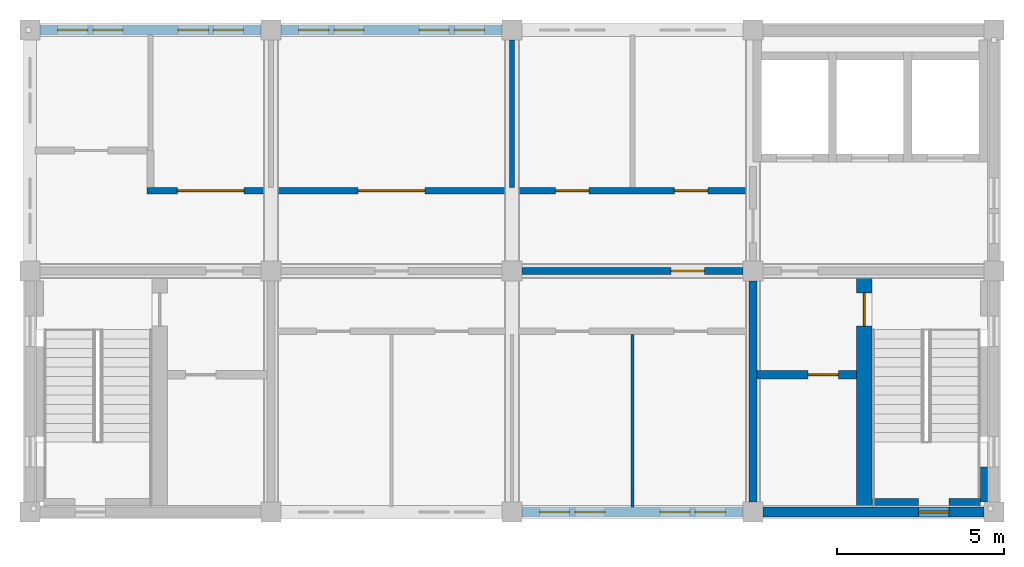
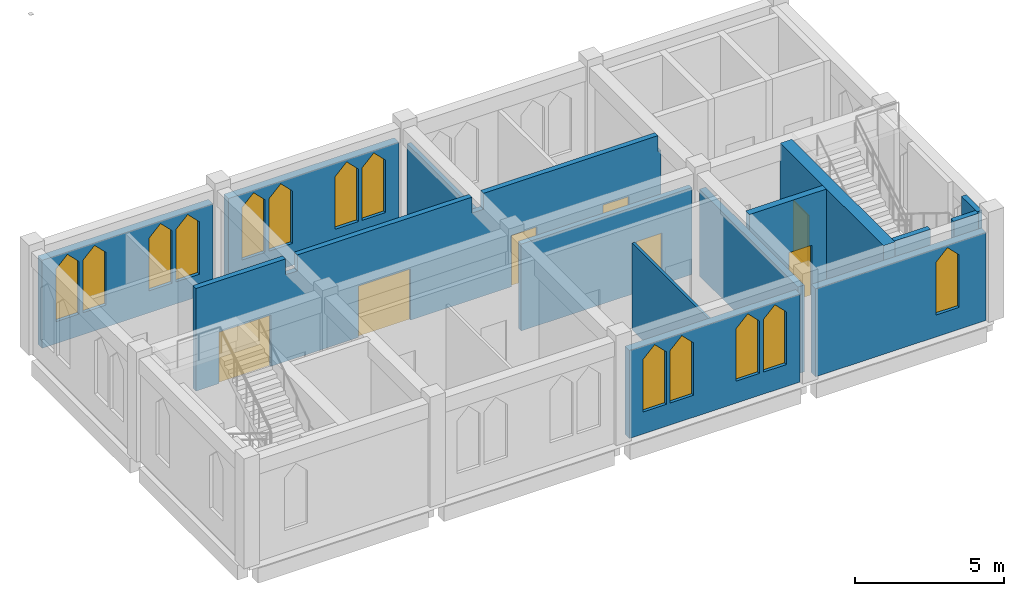
# One storey, part 3 of 6: 14 walls, 13 windows, 7 doors, 20 openings.
"""IFC4 building model written with IfcOpenShell, lengths in metres."""

from ifc_helpers import new_model, si_unit, direction, frame, frame_2d, origin, place, context, subcontext, project, spatial, polyline, rectangle, outline, extrude, material, layer, layer_set, type_object, element, fill, save


model = new_model("IFC4")

# Units and contexts
model_context = context("Model", 3, precision=1e-05, world=origin(), true_north=direction((0.0, 1.0)))
body_context = subcontext(model_context, "Body", "Model", "MODEL_VIEW")
ifc_project = project(units=[si_unit("LENGTHUNIT", "METRE"), si_unit("AREAUNIT", "SQUARE_METRE"), si_unit("VOLUMEUNIT", "CUBIC_METRE"), si_unit("PLANEANGLEUNIT", "RADIAN"), si_unit("MASSUNIT", "GRAM", prefix="KILO")], contexts=[model_context])

# Site, building, storey
site_placement = place(None, origin())
site = spatial("IfcSite", under=ifc_project, at=site_placement, CompositionType="ELEMENT")
building_placement = place(site_placement, origin())
building = spatial("IfcBuilding", under=site, at=building_placement, Name="Silangan Lancet Faculty of Sciences", CompositionType="ELEMENT")
storey_placement = place(building_placement, frame((0.0, 0.0, 76.800048828125)))
storey = spatial("IfcBuildingStorey", under=building, at=storey_placement, Name="L16", CompositionType="ELEMENT", Elevation=76.800048828125)

# Wall, opening, window
ifc_material_1 = material(Name="Concrete C40/50 precast", Category="concrete")
ifc_layer_1 = layer(ifc_material_1, 0.300048828125)
ifc_layer_set_1 = layer_set([ifc_layer_1], Name="Concrete C40/50 precast")
wall_type_1 = type_object("IfcWallType", Name="EW2 Turret enclosure wall", PredefinedType="STANDARD", material=ifc_layer_set_1)
wall_1_placement = place(storey_placement, frame((21.89990234375, 0.0, 0.0), z_axis=(0.0, 0.0, 1.0), x_axis=(1.0, 0.0, 0.0)))
wall_1 = element("IfcWall", 1, at=wall_1_placement, inside=storey, type_object=wall_type_1, Name="EW-L16-S-ST-03", PredefinedType="STANDARD", context=body_context, shape_type="SweptSolid", body=[
    extrude(rectangle(XDim=6.60009765625, YDim=0.300048828125, at=frame_2d((3.300048828125, 0.0))), origin(), (0.0, 0.0, 1.0), 3.599853515625),
])
opening_1_placement = place(wall_1_placement, frame((4.64990234375, 0.0, 0.89990234375)))
opening_1 = element("IfcOpeningElement", 2, at=opening_1_placement, cuts=wall_1, Name="Opening W25", PredefinedType="OPENING", context=body_context, shape_type="SweptSolid", body=[
    extrude(outline(polyline([(0.0, 0.0), (0.89990234375, 0.0), (0.89990234375, 2.150146484375), (0.449951171875, 2.60009765625), (0.0, 2.150146484375), (0.0, 0.0)])), frame((0.0, 0.159912109375, 0.0), z_axis=(0.0, -1.0, 0.0), x_axis=(1.0, 0.0, 0.0)), (0.0, 0.0, 1.0), 0.320068359375),
])
ifc_material_2 = material(Name="Aluminium frame, laminated double glazing", Category="aluminium")
window_type = type_object("IfcWindowType", Name="W25 Lancet window 900 x 2600", PartitioningType="SINGLE_PANEL", PredefinedType="WINDOW", material=ifc_material_2)
window_1_placement = place(opening_1_placement, origin())
window_1 = element("IfcWindow", 3, at=window_1_placement, inside=storey, type_object=window_type, Name="WIN-L16-S-ST-03b", OverallHeight=2.60009765625, OverallWidth=0.89990234375, PartitioningType="SINGLE_PANEL", PredefinedType="WINDOW", context=body_context, shape_type="SweptSolid", body=[
    extrude(outline(polyline([(0.0, 0.0), (0.89990234375, 0.0), (0.89990234375, 2.150146484375), (0.449951171875, 2.60009765625), (0.0, 2.150146484375), (0.0, 0.0)])), frame((0.0, 0.030029296875, 0.0), z_axis=(0.0, -1.0, 0.0), x_axis=(1.0, 0.0, 0.0)), (0.0, 0.0, 1.0), 0.06005859375),
])
fill(opening_1, window_1)

# Wall, openings, windows
ifc_material_3 = material(Name="Concrete C40/50", Category="concrete")
ifc_layer_2 = layer(ifc_material_3, 0.300048828125)
ifc_layer_set_2 = layer_set([ifc_layer_2], Name="Concrete C40/50")
wall_type_2 = type_object("IfcWallType", Name="EW7 Rendered attic wall", PredefinedType="STANDARD", material=ifc_layer_set_2)
wall_2_placement = place(storey_placement, frame((14.699951171875, 0.0, 0.0), z_axis=(0.0, 0.0, 1.0), x_axis=(1.0, 0.0, 0.0)))
wall_2 = element("IfcWall", 4, at=wall_2_placement, inside=storey, type_object=wall_type_2, Name="EW-L16-S-ST-02", PredefinedType="STANDARD", context=body_context, shape_type="SweptSolid", body=[
    extrude(rectangle(XDim=6.60009765625, YDim=0.300048828125, at=frame_2d((3.300048828125, 0.0))), origin(), (0.0, 0.0, 1.0), 3.599853515625),
])
opening_2_placement = place(wall_2_placement, frame((0.52490234375, 0.0, 0.89990234375)))
opening_2 = element("IfcOpeningElement", 5, at=opening_2_placement, cuts=wall_2, Name="Opening W25", PredefinedType="OPENING", context=body_context, shape_type="SweptSolid", body=[
    extrude(outline(polyline([(0.0, 0.0), (0.89990234375, 0.0), (0.89990234375, 2.150146484375), (0.449951171875, 2.60009765625), (0.0, 2.150146484375), (0.0, 0.0)])), frame((0.0, 0.159912109375, 0.0), z_axis=(0.0, -1.0, 0.0), x_axis=(1.0, 0.0, 0.0)), (0.0, 0.0, 1.0), 0.320068359375),
])
opening_3_placement = place(wall_2_placement, frame((1.574951171875, 0.0, 0.89990234375)))
opening_3 = element("IfcOpeningElement", 6, at=opening_3_placement, cuts=wall_2, Name="Opening W25", PredefinedType="OPENING", context=body_context, shape_type="SweptSolid", body=[
    extrude(outline(polyline([(0.0, 0.0), (0.89990234375, 0.0), (0.89990234375, 2.150146484375), (0.449951171875, 2.60009765625), (0.0, 2.150146484375), (0.0, 0.0)])), frame((0.0, 0.159912109375, 0.0), z_axis=(0.0, -1.0, 0.0), x_axis=(1.0, 0.0, 0.0)), (0.0, 0.0, 1.0), 0.320068359375),
])
opening_4_placement = place(wall_2_placement, frame((4.125, 0.0, 0.89990234375)))
opening_4 = element("IfcOpeningElement", 7, at=opening_4_placement, cuts=wall_2, Name="Opening W25", PredefinedType="OPENING", context=body_context, shape_type="SweptSolid", body=[
    extrude(outline(polyline([(0.0, 0.0), (0.89990234375, 0.0), (0.89990234375, 2.150146484375), (0.449951171875, 2.60009765625), (0.0, 2.150146484375), (0.0, 0.0)])), frame((0.0, 0.159912109375, 0.0), z_axis=(0.0, -1.0, 0.0), x_axis=(1.0, 0.0, 0.0)), (0.0, 0.0, 1.0), 0.320068359375),
])
opening_5_placement = place(wall_2_placement, frame((5.175048828125, 0.0, 0.89990234375)))
opening_5 = element("IfcOpeningElement", 8, at=opening_5_placement, cuts=wall_2, Name="Opening W25", PredefinedType="OPENING", context=body_context, shape_type="SweptSolid", body=[
    extrude(outline(polyline([(0.0, 0.0), (0.89990234375, 0.0), (0.89990234375, 2.150146484375), (0.449951171875, 2.60009765625), (0.0, 2.150146484375), (0.0, 0.0)])), frame((0.0, 0.159912109375, 0.0), z_axis=(0.0, -1.0, 0.0), x_axis=(1.0, 0.0, 0.0)), (0.0, 0.0, 1.0), 0.320068359375),
])
window_2_placement = place(opening_2_placement, origin())
window_2 = element("IfcWindow", 9, at=window_2_placement, inside=storey, type_object=window_type, Name="WIN-L16-S-ST-02a1", OverallHeight=2.60009765625, OverallWidth=0.89990234375, PartitioningType="SINGLE_PANEL", PredefinedType="WINDOW", context=body_context, shape_type="SweptSolid", body=[
    extrude(outline(polyline([(0.0, 0.0), (0.89990234375, 0.0), (0.89990234375, 2.150146484375), (0.449951171875, 2.60009765625), (0.0, 2.150146484375), (0.0, 0.0)])), frame((0.0, 0.030029296875, 0.0), z_axis=(0.0, -1.0, 0.0), x_axis=(1.0, 0.0, 0.0)), (0.0, 0.0, 1.0), 0.06005859375),
])
fill(opening_2, window_2)
window_3_placement = place(opening_3_placement, origin())
window_3 = element("IfcWindow", 10, at=window_3_placement, inside=storey, type_object=window_type, Name="WIN-L16-S-ST-02a2", OverallHeight=2.60009765625, OverallWidth=0.89990234375, PartitioningType="SINGLE_PANEL", PredefinedType="WINDOW", context=body_context, shape_type="SweptSolid", body=[
    extrude(outline(polyline([(0.0, 0.0), (0.89990234375, 0.0), (0.89990234375, 2.150146484375), (0.449951171875, 2.60009765625), (0.0, 2.150146484375), (0.0, 0.0)])), frame((0.0, 0.030029296875, 0.0), z_axis=(0.0, -1.0, 0.0), x_axis=(1.0, 0.0, 0.0)), (0.0, 0.0, 1.0), 0.06005859375),
])
fill(opening_3, window_3)
window_4_placement = place(opening_4_placement, origin())
window_4 = element("IfcWindow", 11, at=window_4_placement, inside=storey, type_object=window_type, Name="WIN-L16-S-ST-02b1", OverallHeight=2.60009765625, OverallWidth=0.89990234375, PartitioningType="SINGLE_PANEL", PredefinedType="WINDOW", context=body_context, shape_type="SweptSolid", body=[
    extrude(outline(polyline([(0.0, 0.0), (0.89990234375, 0.0), (0.89990234375, 2.150146484375), (0.449951171875, 2.60009765625), (0.0, 2.150146484375), (0.0, 0.0)])), frame((0.0, 0.030029296875, 0.0), z_axis=(0.0, -1.0, 0.0), x_axis=(1.0, 0.0, 0.0)), (0.0, 0.0, 1.0), 0.06005859375),
])
fill(opening_4, window_4)
window_5_placement = place(opening_5_placement, origin())
window_5 = element("IfcWindow", 12, at=window_5_placement, inside=storey, type_object=window_type, Name="WIN-L16-S-ST-02b2", OverallHeight=2.60009765625, OverallWidth=0.89990234375, PartitioningType="SINGLE_PANEL", PredefinedType="WINDOW", context=body_context, shape_type="SweptSolid", body=[
    extrude(outline(polyline([(0.0, 0.0), (0.89990234375, 0.0), (0.89990234375, 2.150146484375), (0.449951171875, 2.60009765625), (0.0, 2.150146484375), (0.0, 0.0)])), frame((0.0, 0.030029296875, 0.0), z_axis=(0.0, -1.0, 0.0), x_axis=(1.0, 0.0, 0.0)), (0.0, 0.0, 1.0), 0.06005859375),
])
fill(opening_5, window_5)

wall_3_placement = place(storey_placement, frame((14.10009765625, 14.39990234375, 0.0), z_axis=(0.0, 0.0, 1.0), x_axis=(-1.0, 0.0, 0.0)))
wall_3 = element("IfcWall", 13, at=wall_3_placement, inside=storey, type_object=wall_type_2, Name="EW-L16-N-ST-U-02", PredefinedType="STANDARD", context=body_context, shape_type="SweptSolid", body=[
    extrude(rectangle(XDim=6.60009765625, YDim=0.300048828125, at=frame_2d((3.300048828125, 0.0))), origin(), (0.0, 0.0, 1.0), 3.599853515625),
])
opening_6_placement = place(wall_3_placement, frame((0.52490234375, 0.0, 0.89990234375)))
opening_6 = element("IfcOpeningElement", 14, at=opening_6_placement, cuts=wall_3, Name="Opening W25", PredefinedType="OPENING", context=body_context, shape_type="SweptSolid", body=[
    extrude(outline(polyline([(0.0, 0.0), (0.89990234375, 0.0), (0.89990234375, 2.150146484375), (0.449951171875, 2.60009765625), (0.0, 2.150146484375), (0.0, 0.0)])), frame((0.0, 0.159912109375, 0.0), z_axis=(0.0, -1.0, 0.0), x_axis=(1.0, 0.0, 0.0)), (0.0, 0.0, 1.0), 0.320068359375),
])
opening_7_placement = place(wall_3_placement, frame((1.574951171875, 0.0, 0.89990234375)))
opening_7 = element("IfcOpeningElement", 15, at=opening_7_placement, cuts=wall_3, Name="Opening W25", PredefinedType="OPENING", context=body_context, shape_type="SweptSolid", body=[
    extrude(outline(polyline([(0.0, 0.0), (0.89990234375, 0.0), (0.89990234375, 2.150146484375), (0.449951171875, 2.60009765625), (0.0, 2.150146484375), (0.0, 0.0)])), frame((0.0, 0.159912109375, 0.0), z_axis=(0.0, -1.0, 0.0), x_axis=(1.0, 0.0, 0.0)), (0.0, 0.0, 1.0), 0.320068359375),
])
opening_8_placement = place(wall_3_placement, frame((4.125, 0.0, 0.89990234375)))
opening_8 = element("IfcOpeningElement", 16, at=opening_8_placement, cuts=wall_3, Name="Opening W25", PredefinedType="OPENING", context=body_context, shape_type="SweptSolid", body=[
    extrude(outline(polyline([(0.0, 0.0), (0.89990234375, 0.0), (0.89990234375, 2.150146484375), (0.449951171875, 2.60009765625), (0.0, 2.150146484375), (0.0, 0.0)])), frame((0.0, 0.159912109375, 0.0), z_axis=(0.0, -1.0, 0.0), x_axis=(1.0, 0.0, 0.0)), (0.0, 0.0, 1.0), 0.320068359375),
])
opening_9_placement = place(wall_3_placement, frame((5.175048828125, 0.0, 0.89990234375)))
opening_9 = element("IfcOpeningElement", 17, at=opening_9_placement, cuts=wall_3, Name="Opening W25", PredefinedType="OPENING", context=body_context, shape_type="SweptSolid", body=[
    extrude(outline(polyline([(0.0, 0.0), (0.89990234375, 0.0), (0.89990234375, 2.150146484375), (0.449951171875, 2.60009765625), (0.0, 2.150146484375), (0.0, 0.0)])), frame((0.0, 0.159912109375, 0.0), z_axis=(0.0, -1.0, 0.0), x_axis=(1.0, 0.0, 0.0)), (0.0, 0.0, 1.0), 0.320068359375),
])
window_6_placement = place(opening_6_placement, origin())
window_6 = element("IfcWindow", 18, at=window_6_placement, inside=storey, type_object=window_type, Name="WIN-L16-N-ST-U-02a1", OverallHeight=2.60009765625, OverallWidth=0.89990234375, PartitioningType="SINGLE_PANEL", PredefinedType="WINDOW", context=body_context, shape_type="SweptSolid", body=[
    extrude(outline(polyline([(0.0, 0.0), (0.89990234375, 0.0), (0.89990234375, 2.150146484375), (0.449951171875, 2.60009765625), (0.0, 2.150146484375), (0.0, 0.0)])), frame((0.0, 0.030029296875, 0.0), z_axis=(0.0, -1.0, 0.0), x_axis=(1.0, 0.0, 0.0)), (0.0, 0.0, 1.0), 0.06005859375),
])
fill(opening_6, window_6)
window_7_placement = place(opening_7_placement, origin())
window_7 = element("IfcWindow", 19, at=window_7_placement, inside=storey, type_object=window_type, Name="WIN-L16-N-ST-U-02a2", OverallHeight=2.60009765625, OverallWidth=0.89990234375, PartitioningType="SINGLE_PANEL", PredefinedType="WINDOW", context=body_context, shape_type="SweptSolid", body=[
    extrude(outline(polyline([(0.0, 0.0), (0.89990234375, 0.0), (0.89990234375, 2.150146484375), (0.449951171875, 2.60009765625), (0.0, 2.150146484375), (0.0, 0.0)])), frame((0.0, 0.030029296875, 0.0), z_axis=(0.0, -1.0, 0.0), x_axis=(1.0, 0.0, 0.0)), (0.0, 0.0, 1.0), 0.06005859375),
])
fill(opening_7, window_7)
window_8_placement = place(opening_8_placement, origin())
window_8 = element("IfcWindow", 20, at=window_8_placement, inside=storey, type_object=window_type, Name="WIN-L16-N-ST-U-02b1", OverallHeight=2.60009765625, OverallWidth=0.89990234375, PartitioningType="SINGLE_PANEL", PredefinedType="WINDOW", context=body_context, shape_type="SweptSolid", body=[
    extrude(outline(polyline([(0.0, 0.0), (0.89990234375, 0.0), (0.89990234375, 2.150146484375), (0.449951171875, 2.60009765625), (0.0, 2.150146484375), (0.0, 0.0)])), frame((0.0, 0.030029296875, 0.0), z_axis=(0.0, -1.0, 0.0), x_axis=(1.0, 0.0, 0.0)), (0.0, 0.0, 1.0), 0.06005859375),
])
fill(opening_8, window_8)
window_9_placement = place(opening_9_placement, origin())
window_9 = element("IfcWindow", 21, at=window_9_placement, inside=storey, type_object=window_type, Name="WIN-L16-N-ST-U-02b2", OverallHeight=2.60009765625, OverallWidth=0.89990234375, PartitioningType="SINGLE_PANEL", PredefinedType="WINDOW", context=body_context, shape_type="SweptSolid", body=[
    extrude(outline(polyline([(0.0, 0.0), (0.89990234375, 0.0), (0.89990234375, 2.150146484375), (0.449951171875, 2.60009765625), (0.0, 2.150146484375), (0.0, 0.0)])), frame((0.0, 0.030029296875, 0.0), z_axis=(0.0, -1.0, 0.0), x_axis=(1.0, 0.0, 0.0)), (0.0, 0.0, 1.0), 0.06005859375),
])
fill(opening_9, window_9)

wall_4_placement = place(storey_placement, frame((6.89990234375, 14.39990234375, 0.0), z_axis=(0.0, 0.0, 1.0), x_axis=(-1.0, 0.0, 0.0)))
wall_4 = element("IfcWall", 22, at=wall_4_placement, inside=storey, type_object=wall_type_2, Name="EW-L16-N-ST-U-03", PredefinedType="STANDARD", context=body_context, shape_type="SweptSolid", body=[
    extrude(rectangle(XDim=6.599853515625, YDim=0.300048828125, at=frame_2d((3.2998046875, 0.0))), origin(), (0.0, 0.0, 1.0), 3.599853515625),
])
opening_10_placement = place(wall_4_placement, frame((0.52490234375, 0.0, 0.89990234375)))
opening_10 = element("IfcOpeningElement", 23, at=opening_10_placement, cuts=wall_4, Name="Opening W25", PredefinedType="OPENING", context=body_context, shape_type="SweptSolid", body=[
    extrude(outline(polyline([(0.0, 0.0), (0.89990234375, 0.0), (0.89990234375, 2.150146484375), (0.449951171875, 2.60009765625), (0.0, 2.150146484375), (0.0, 0.0)])), frame((0.0, 0.159912109375, 0.0), z_axis=(0.0, -1.0, 0.0), x_axis=(1.0, 0.0, 0.0)), (0.0, 0.0, 1.0), 0.320068359375),
])
opening_11_placement = place(wall_4_placement, frame((1.574951171875, 0.0, 0.89990234375)))
opening_11 = element("IfcOpeningElement", 24, at=opening_11_placement, cuts=wall_4, Name="Opening W25", PredefinedType="OPENING", context=body_context, shape_type="SweptSolid", body=[
    extrude(outline(polyline([(0.0, 0.0), (0.89990234375, 0.0), (0.89990234375, 2.150146484375), (0.449951171875, 2.60009765625), (0.0, 2.150146484375), (0.0, 0.0)])), frame((0.0, 0.159912109375, 0.0), z_axis=(0.0, -1.0, 0.0), x_axis=(1.0, 0.0, 0.0)), (0.0, 0.0, 1.0), 0.320068359375),
])
opening_12_placement = place(wall_4_placement, frame((4.125, 0.0, 0.89990234375)))
opening_12 = element("IfcOpeningElement", 25, at=opening_12_placement, cuts=wall_4, Name="Opening W25", PredefinedType="OPENING", context=body_context, shape_type="SweptSolid", body=[
    extrude(outline(polyline([(0.0, 0.0), (0.89990234375, 0.0), (0.89990234375, 2.150146484375), (0.449951171875, 2.60009765625), (0.0, 2.150146484375), (0.0, 0.0)])), frame((0.0, 0.159912109375, 0.0), z_axis=(0.0, -1.0, 0.0), x_axis=(1.0, 0.0, 0.0)), (0.0, 0.0, 1.0), 0.320068359375),
])
opening_13_placement = place(wall_4_placement, frame((5.175048828125, 0.0, 0.89990234375)))
opening_13 = element("IfcOpeningElement", 26, at=opening_13_placement, cuts=wall_4, Name="Opening W25", PredefinedType="OPENING", context=body_context, shape_type="SweptSolid", body=[
    extrude(outline(polyline([(0.0, 0.0), (0.89990234375, 0.0), (0.89990234375, 2.150146484375), (0.449951171875, 2.60009765625), (0.0, 2.150146484375), (0.0, 0.0)])), frame((0.0, 0.159912109375, 0.0), z_axis=(0.0, -1.0, 0.0), x_axis=(1.0, 0.0, 0.0)), (0.0, 0.0, 1.0), 0.320068359375),
])
window_10_placement = place(opening_10_placement, origin())
window_10 = element("IfcWindow", 27, at=window_10_placement, inside=storey, type_object=window_type, Name="WIN-L16-N-ST-U-03a1", OverallHeight=2.60009765625, OverallWidth=0.89990234375, PartitioningType="SINGLE_PANEL", PredefinedType="WINDOW", context=body_context, shape_type="SweptSolid", body=[
    extrude(outline(polyline([(0.0, 0.0), (0.89990234375, 0.0), (0.89990234375, 2.150146484375), (0.449951171875, 2.60009765625), (0.0, 2.150146484375), (0.0, 0.0)])), frame((0.0, 0.030029296875, 0.0), z_axis=(0.0, -1.0, 0.0), x_axis=(1.0, 0.0, 0.0)), (0.0, 0.0, 1.0), 0.06005859375),
])
fill(opening_10, window_10)
window_11_placement = place(opening_11_placement, origin())
window_11 = element("IfcWindow", 28, at=window_11_placement, inside=storey, type_object=window_type, Name="WIN-L16-N-ST-U-03a2", OverallHeight=2.60009765625, OverallWidth=0.89990234375, PartitioningType="SINGLE_PANEL", PredefinedType="WINDOW", context=body_context, shape_type="SweptSolid", body=[
    extrude(outline(polyline([(0.0, 0.0), (0.89990234375, 0.0), (0.89990234375, 2.150146484375), (0.449951171875, 2.60009765625), (0.0, 2.150146484375), (0.0, 0.0)])), frame((0.0, 0.030029296875, 0.0), z_axis=(0.0, -1.0, 0.0), x_axis=(1.0, 0.0, 0.0)), (0.0, 0.0, 1.0), 0.06005859375),
])
fill(opening_11, window_11)
window_12_placement = place(opening_12_placement, origin())
window_12 = element("IfcWindow", 29, at=window_12_placement, inside=storey, type_object=window_type, Name="WIN-L16-N-ST-U-03b1", OverallHeight=2.60009765625, OverallWidth=0.89990234375, PartitioningType="SINGLE_PANEL", PredefinedType="WINDOW", context=body_context, shape_type="SweptSolid", body=[
    extrude(outline(polyline([(0.0, 0.0), (0.89990234375, 0.0), (0.89990234375, 2.150146484375), (0.449951171875, 2.60009765625), (0.0, 2.150146484375), (0.0, 0.0)])), frame((0.0, 0.030029296875, 0.0), z_axis=(0.0, -1.0, 0.0), x_axis=(1.0, 0.0, 0.0)), (0.0, 0.0, 1.0), 0.06005859375),
])
fill(opening_12, window_12)
window_13_placement = place(opening_13_placement, origin())
window_13 = element("IfcWindow", 30, at=window_13_placement, inside=storey, type_object=window_type, Name="WIN-L16-N-ST-U-03b2", OverallHeight=2.60009765625, OverallWidth=0.89990234375, PartitioningType="SINGLE_PANEL", PredefinedType="WINDOW", context=body_context, shape_type="SweptSolid", body=[
    extrude(outline(polyline([(0.0, 0.0), (0.89990234375, 0.0), (0.89990234375, 2.150146484375), (0.449951171875, 2.60009765625), (0.0, 2.150146484375), (0.0, 0.0)])), frame((0.0, 0.030029296875, 0.0), z_axis=(0.0, -1.0, 0.0), x_axis=(1.0, 0.0, 0.0)), (0.0, 0.0, 1.0), 0.06005859375),
])
fill(opening_13, window_13)

# Wall, opening, door
ifc_material_4 = material(Name="Hollow block masonry fm 7 MPa", Category="masonry")
ifc_layer_3 = layer(ifc_material_4, 0.199951171875)
ifc_layer_set_3 = layer_set([ifc_layer_3], Name="Hollow block masonry fm 7 MPa")
wall_type_3 = type_object("IfcWallType", Name="Interior wall PW1 Corridor wall CHB 200", PredefinedType="PARTITIONING", material=ifc_layer_set_3)
wall_5_placement = place(storey_placement, frame((14.699951171875, 7.199951171875, 0.0), z_axis=(0.0, 0.0, 1.0), x_axis=(1.0, 0.0, 0.0)))
wall_5 = element("IfcWall", 31, at=wall_5_placement, inside=storey, type_object=wall_type_3, Name="Corridor wall CHB 200", PredefinedType="PARTITIONING", context=body_context, shape_type="SweptSolid", body=[
    extrude(rectangle(XDim=6.60009765625, YDim=0.199951171875, at=frame_2d((3.300048828125, 0.0))), origin(), (0.0, 0.0, 1.0), 3.550048828125),
])
opening_14_placement = place(wall_5_placement, frame((4.449951171875, 0.0, 0.0)))
opening_14 = element("IfcOpeningElement", 32, at=opening_14_placement, cuts=wall_5, Name="Opening L16-003", PredefinedType="OPENING", context=body_context, shape_type="SweptSolid", body=[
    extrude(rectangle(XDim=1.0, YDim=2.10009765625, at=frame_2d((0.5, 1.050048828125))), frame((0.0, 0.10986328125, 0.0), z_axis=(0.0, -1.0, 0.0), x_axis=(1.0, 0.0, 0.0)), (0.0, 0.0, 1.0), 0.219970703125),
])
ifc_material_5 = material(Name="Steel fire door set", Category="steel")
door_type_1 = type_object("IfcDoorType", Name="Door D1 Single leaf fire door 1000 x 2100", OperationType="SINGLE_SWING_LEFT", PredefinedType="DOOR", material=ifc_material_5)
door_1_placement = place(opening_14_placement, frame((1.0, 0.0, 0.0), z_axis=(0.0, 0.0, 1.0), x_axis=(-1.0, 0.0, 0.0)))
door_1 = element("IfcDoor", 33, at=door_1_placement, inside=storey, type_object=door_type_1, Name="Single leaf fire door 1000 x 2100", OperationType="SINGLE_SWING_RIGHT", OverallHeight=2.10009765625, OverallWidth=1.0, PredefinedType="DOOR", context=body_context, shape_type="SweptSolid", body=[
    extrude(rectangle(XDim=1.0, YDim=2.10009765625, at=frame_2d((0.5, 1.050048828125))), frame((0.0, 0.025146484375, 0.0), z_axis=(0.0, -1.0, 0.0), x_axis=(1.0, 0.0, 0.0)), (0.0, 0.0, 1.0), 0.050048828125),
])
fill(opening_14, door_1)

# Wall, openings, doors
wall_6_placement = place(storey_placement, frame((3.5, 9.60009765625, 0.0), z_axis=(0.0, 0.0, 1.0), x_axis=(1.0, 0.0, 0.0)))
wall_6 = element("IfcWall", 34, at=wall_6_placement, inside=storey, type_object=wall_type_3, Name="Corridor wall CHB 200", PredefinedType="PARTITIONING", context=body_context, shape_type="SweptSolid", body=[
    extrude(outline(polyline([(0.0, 0.0), (18.0, 0.0), (18.0, 3.550048828125), (17.875, 3.550048828125), (17.875, 4.199951171875), (11.125, 4.199951171875), (11.125, 3.550048828125), (10.675048828125, 3.550048828125), (10.675048828125, 4.199951171875), (3.925048828125, 4.199951171875), (3.925048828125, 3.550048828125), (3.47509765625, 3.550048828125), (3.47509765625, 4.199951171875), (0.0, 4.199951171875), (0.0, 0.0)])), frame((0.0, 0.10009765625, 0.0), z_axis=(0.0, -1.0, 0.0), x_axis=(1.0, 0.0, 0.0)), (0.0, 0.0, 1.0), 0.199951171875),
])
opening_15_placement = place(wall_6_placement, frame((15.75, 0.0, 0.0)))
opening_15 = element("IfcOpeningElement", 35, at=opening_15_placement, cuts=wall_6, Name="Opening L16-008", PredefinedType="OPENING", context=body_context, shape_type="SweptSolid", body=[
    extrude(rectangle(XDim=1.0, YDim=2.10009765625, at=frame_2d((0.5, 1.050048828125))), frame((0.0, 0.10986328125, 0.0), z_axis=(0.0, -1.0, 0.0), x_axis=(1.0, 0.0, 0.0)), (0.0, 0.0, 1.0), 0.219970703125),
])
opening_16_placement = place(wall_6_placement, frame((0.89990234375, 0.0, 0.0)))
opening_16 = element("IfcOpeningElement", 36, at=opening_16_placement, cuts=wall_6, Name="Opening L16-010", PredefinedType="OPENING", context=body_context, shape_type="SweptSolid", body=[
    extrude(rectangle(XDim=2.0, YDim=2.10009765625, at=frame_2d((1.0, 1.050048828125))), frame((0.0, 0.10986328125, 0.0), z_axis=(0.0, -1.0, 0.0), x_axis=(1.0, 0.0, 0.0)), (0.0, 0.0, 1.0), 0.219970703125),
])
opening_17_placement = place(wall_6_placement, frame((6.300048828125, 0.0, 0.0)))
opening_17 = element("IfcOpeningElement", 37, at=opening_17_placement, cuts=wall_6, Name="Opening L16-011", PredefinedType="OPENING", context=body_context, shape_type="SweptSolid", body=[
    extrude(rectangle(XDim=2.0, YDim=2.10009765625, at=frame_2d((1.0, 1.050048828125))), frame((0.0, 0.10986328125, 0.0), z_axis=(0.0, -1.0, 0.0), x_axis=(1.0, 0.0, 0.0)), (0.0, 0.0, 1.0), 0.219970703125),
])
opening_18_placement = place(wall_6_placement, frame((12.199951171875, 0.0, 0.0)))
opening_18 = element("IfcOpeningElement", 38, at=opening_18_placement, cuts=wall_6, Name="Opening L16-012", PredefinedType="OPENING", context=body_context, shape_type="SweptSolid", body=[
    extrude(rectangle(XDim=1.0, YDim=2.10009765625, at=frame_2d((0.5, 1.050048828125))), frame((0.0, 0.10986328125, 0.0), z_axis=(0.0, -1.0, 0.0), x_axis=(1.0, 0.0, 0.0)), (0.0, 0.0, 1.0), 0.219970703125),
])
door_2_placement = place(opening_15_placement, origin())
door_2 = element("IfcDoor", 39, at=door_2_placement, inside=storey, type_object=door_type_1, Name="Single leaf fire door 1000 x 2100", OperationType="SINGLE_SWING_RIGHT", OverallHeight=2.10009765625, OverallWidth=1.0, PredefinedType="DOOR", context=body_context, shape_type="SweptSolid", body=[
    extrude(rectangle(XDim=1.0, YDim=2.10009765625, at=frame_2d((0.5, 1.050048828125))), frame((0.0, 0.02490234375, 0.0), z_axis=(0.0, -1.0, 0.0), x_axis=(1.0, 0.0, 0.0)), (0.0, 0.0, 1.0), 0.050048828125),
])
fill(opening_15, door_2)
door_3_placement = place(opening_18_placement, origin())
door_3 = element("IfcDoor", 40, at=door_3_placement, inside=storey, type_object=door_type_1, Name="Single leaf fire door 1000 x 2100", OperationType="SINGLE_SWING_RIGHT", OverallHeight=2.10009765625, OverallWidth=1.0, PredefinedType="DOOR", context=body_context, shape_type="SweptSolid", body=[
    extrude(rectangle(XDim=1.0, YDim=2.10009765625, at=frame_2d((0.5, 1.050048828125))), frame((0.0, 0.02490234375, 0.0), z_axis=(0.0, -1.0, 0.0), x_axis=(1.0, 0.0, 0.0)), (0.0, 0.0, 1.0), 0.050048828125),
])
fill(opening_18, door_3)
ifc_material_6 = material(Name="Steel fire door set", Category="steel")
door_type_2 = type_object("IfcDoorType", Name="Door D4 Double leaf fire door 2000 x 2100", OperationType="DOUBLE_DOOR_SINGLE_SWING", PredefinedType="DOOR", material=ifc_material_6)
door_4_placement = place(opening_16_placement, origin())
door_4 = element("IfcDoor", 41, at=door_4_placement, inside=storey, type_object=door_type_2, Name="Double leaf fire door 2000 x 2100", OperationType="DOUBLE_DOOR_SINGLE_SWING", OverallHeight=2.10009765625, OverallWidth=2.0, PredefinedType="DOOR", context=body_context, shape_type="SweptSolid", body=[
    extrude(rectangle(XDim=2.0, YDim=2.10009765625, at=frame_2d((1.0, 1.050048828125))), frame((0.0, 0.02490234375, 0.0), z_axis=(0.0, -1.0, 0.0), x_axis=(1.0, 0.0, 0.0)), (0.0, 0.0, 1.0), 0.050048828125),
])
fill(opening_16, door_4)
door_5_placement = place(opening_17_placement, origin())
door_5 = element("IfcDoor", 42, at=door_5_placement, inside=storey, type_object=door_type_2, Name="Double leaf fire door 2000 x 2100", OperationType="DOUBLE_DOOR_SINGLE_SWING", OverallHeight=2.10009765625, OverallWidth=2.0, PredefinedType="DOOR", context=body_context, shape_type="SweptSolid", body=[
    extrude(rectangle(XDim=2.0, YDim=2.10009765625, at=frame_2d((1.0, 1.050048828125))), frame((0.0, 0.02490234375, 0.0), z_axis=(0.0, -1.0, 0.0), x_axis=(1.0, 0.0, 0.0)), (0.0, 0.0, 1.0), 0.050048828125),
])
fill(opening_17, door_5)

# Walls
ifc_material_7 = material(Name="Hollow block masonry fm 7 MPa", Category="masonry")
ifc_layer_4 = layer(ifc_material_7, 0.14990234375)
ifc_layer_set_4 = layer_set([ifc_layer_4], Name="Hollow block masonry fm 7 MPa")
wall_type_4 = type_object("IfcWallType", Name="Interior wall PW3 Partition CHB 150", PredefinedType="PARTITIONING", material=ifc_layer_set_4)
wall_7_placement = place(storey_placement, frame((14.39990234375, 9.699951171875, 0.0), z_axis=(0.0, 0.0, 1.0), x_axis=(0.0, 1.0, 0.0)))
element("IfcWall", 43, at=wall_7_placement, inside=storey, type_object=wall_type_4, Name="Partition CHB 150", PredefinedType="PARTITIONING", context=body_context, shape_type="SweptSolid", body=[
    extrude(rectangle(XDim=4.400146484375, YDim=0.14990234375, at=frame_2d((2.2001953125, 0.0))), origin(), (0.0, 0.0, 1.0), 3.550048828125),
])
ifc_material_8 = material(Name="Hollow block masonry fm 7 MPa", Category="masonry")
ifc_layer_5 = layer(ifc_material_8, 0.10009765625)
ifc_layer_set_5 = layer_set([ifc_layer_5], Name="Hollow block masonry fm 7 MPa")
wall_type_5 = type_object("IfcWallType", Name="Interior wall PW8 WC partition CHB 100", PredefinedType="PARTITIONING", material=ifc_layer_set_5)
wall_8_placement = place(storey_placement, frame((18.0, 0.14990234375, 0.0), z_axis=(0.0, 0.0, 1.0), x_axis=(0.0, 1.0, 0.0)))
element("IfcWall", 44, at=wall_8_placement, inside=storey, type_object=wall_type_5, Name="WC partition CHB 100", PredefinedType="PARTITIONING", context=body_context, shape_type="SweptSolid", body=[
    extrude(rectangle(XDim=5.150146484375, YDim=0.10009765625, at=frame_2d((2.5751953125, 0.0))), origin(), (0.0, 0.0, 1.0), 3.550048828125),
])

# Wall, opening, door
ifc_material_9 = material(Name="Concrete C40/50", Category="concrete")
ifc_layer_6 = layer(ifc_material_9, 0.449951171875)
ifc_layer_set_6 = layer_set([ifc_layer_6], Name="Concrete C40/50")
wall_type_6 = type_object("IfcWallType", Name="TURRET CORE WALL RC 450", PredefinedType="SHEAR", material=ifc_layer_set_6)
wall_9_placement = place(storey_placement, frame((24.925048828125, 0.14990234375, 0.0), z_axis=(0.0, 0.0, 1.0), x_axis=(0.0, 1.0, 0.0)))
wall_9 = element("IfcWall", 45, at=wall_9_placement, inside=storey, type_object=wall_type_6, Name="WALL-L16-ST-B-WELL", PredefinedType="SHEAR", context=body_context, shape_type="SweptSolid", body=[
    extrude(rectangle(XDim=6.925048828125, YDim=0.449951171875, at=frame_2d((3.46240234375, 0.0))), origin(), (0.0, 0.0, 1.0), 4.199951171875),
])
opening_19_placement = place(wall_9_placement, frame((5.39990234375, 0.0, 0.0)))
opening_19 = element("IfcOpeningElement", 46, at=opening_19_placement, cuts=wall_9, Name="Opening L16-704", PredefinedType="OPENING", context=body_context, shape_type="SweptSolid", body=[
    extrude(rectangle(XDim=1.0, YDim=2.10009765625, at=frame_2d((0.5, 1.050048828125))), frame((0.0, 0.23486328125, 0.0), z_axis=(0.0, -1.0, 0.0), x_axis=(1.0, 0.0, 0.0)), (0.0, 0.0, 1.0), 0.469970703125),
])
ifc_material_10 = material(Name="Steel fire door set", Category="steel")
door_type_3 = type_object("IfcDoorType", Name="D71 Stair enclosure door 1000x2100", OperationType="SINGLE_SWING_LEFT", PredefinedType="DOOR", material=ifc_material_10)
door_6_placement = place(opening_19_placement, frame((1.0, 0.0, 0.0), z_axis=(0.0, 0.0, 1.0), x_axis=(-1.0, 0.0, 0.0)))
door_6 = element("IfcDoor", 47, at=door_6_placement, inside=storey, type_object=door_type_3, Name="Stair enclosure door ST-B L16", OperationType="SINGLE_SWING_LEFT", OverallHeight=2.10009765625, OverallWidth=1.0, PredefinedType="DOOR", context=body_context, shape_type="SweptSolid", body=[
    extrude(rectangle(XDim=1.0, YDim=2.10009765625, at=frame_2d((0.5, 1.050048828125))), frame((0.0, 0.025146484375, 0.0), z_axis=(0.0, -1.0, 0.0), x_axis=(1.0, 0.0, 0.0)), (0.0, 0.0, 1.0), 0.050048828125),
])
fill(opening_19, door_6)

# Walls
ifc_material_11 = material(Name="Concrete C40/50", Category="concrete")
ifc_layer_7 = layer(ifc_material_11, 0.199951171875)
ifc_layer_set_7 = layer_set([ifc_layer_7], Name="Concrete C40/50")
wall_type_7 = type_object("IfcWallType", Name="TURRET LINING WALL RC 200", PredefinedType="SHEAR", material=ifc_layer_set_7)
wall_10_placement = place(storey_placement, frame((28.5, 0.300048828125, -0.25), z_axis=(0.0, 0.0, 1.0), x_axis=(0.0, 1.0, 0.0)))
element("IfcWall", 48, at=wall_10_placement, inside=storey, type_object=wall_type_7, Name="WALL-L16-ST-B-WL", PredefinedType="SHEAR", context=body_context, shape_type="SweptSolid", body=[
    extrude(rectangle(XDim=1.050048828125, YDim=0.199951171875, at=frame_2d((0.52490234375, 0.0))), origin(), (0.0, 0.0, 1.0), 4.449951171875),
])
wall_11_placement = place(storey_placement, frame((25.14990234375, 0.300048828125, -0.25), z_axis=(0.0, 0.0, 1.0), x_axis=(1.0, 0.0, 0.0)))
element("IfcWall", 49, at=wall_11_placement, inside=storey, type_object=wall_type_7, Name="WALL-L16-ST-B-WLD", PredefinedType="SHEAR", context=body_context, shape_type="SweptSolid", body=[
    extrude(rectangle(XDim=1.400146484375, YDim=0.199951171875, at=frame_2d((0.7001953125, 0.0))), origin(), (0.0, 0.0, 1.0), 4.449951171875),
])
wall_12_placement = place(storey_placement, frame((27.449951171875, 0.300048828125, -0.25), z_axis=(0.0, 0.0, 1.0), x_axis=(1.0, 0.0, 0.0)))
element("IfcWall", 50, at=wall_12_placement, inside=storey, type_object=wall_type_7, Name="WALL-L16-ST-B-WLD-2", PredefinedType="SHEAR", context=body_context, shape_type="SweptSolid", body=[
    extrude(rectangle(XDim=0.949951171875, YDim=0.199951171875, at=frame_2d((0.47509765625, 0.0))), origin(), (0.0, 0.0, 1.0), 4.449951171875),
])
ifc_material_12 = material(Name="Concrete C40/50", Category="concrete")
ifc_layer_8 = layer(ifc_material_12, 0.25)
ifc_layer_set_8 = layer_set([ifc_layer_8], Name="Concrete C40/50")
wall_type_8 = type_object("IfcWallType", Name="TURRET WALL RC 250", PredefinedType="SHEAR", material=ifc_layer_set_8)
wall_13_placement = place(storey_placement, frame((21.60009765625, 0.300048828125, 0.0), z_axis=(0.0, 0.0, 1.0), x_axis=(0.0, 1.0, 0.0)))
element("IfcWall", 51, at=wall_13_placement, inside=storey, type_object=wall_type_8, Name="WALL-L16-ST-B-O", PredefinedType="SHEAR", context=body_context, shape_type="SweptSolid", body=[
    extrude(rectangle(XDim=6.599853515625, YDim=0.25, at=frame_2d((3.2998046875, 0.0))), origin(), (0.0, 0.0, 1.0), 3.550048828125),
])

# Wall, opening, door
wall_14_placement = place(storey_placement, frame((21.72509765625, 4.10009765625, 0.0), z_axis=(0.0, 0.0, 1.0), x_axis=(1.0, 0.0, 0.0)))
wall_14 = element("IfcWall", 52, at=wall_14_placement, inside=storey, type_object=wall_type_8, Name="WALL-L16-ST-B-RISER", PredefinedType="SHEAR", context=body_context, shape_type="SweptSolid", body=[
    extrude(rectangle(XDim=2.974853515625, YDim=0.25, at=frame_2d((1.4873046875, 0.0))), origin(), (0.0, 0.0, 1.0), 4.199951171875),
])
opening_20_placement = place(wall_14_placement, frame((1.52490234375, 0.0, 0.0)))
opening_20 = element("IfcOpeningElement", 53, at=opening_20_placement, cuts=wall_14, Name="Opening L16-706", PredefinedType="OPENING", context=body_context, shape_type="SweptSolid", body=[
    extrude(rectangle(XDim=0.89990234375, YDim=2.10009765625, at=frame_2d((0.449951171875, 1.050048828125))), frame((0.0, 0.135009765625, 0.0), z_axis=(0.0, -1.0, 0.0), x_axis=(1.0, 0.0, 0.0)), (0.0, 0.0, 1.0), 0.27001953125),
])
ifc_material_13 = material(Name="Steel fire door set", Category="steel")
door_type_4 = type_object("IfcDoorType", Name="D72 Riser access door 900x2100", OperationType="SINGLE_SWING_LEFT", PredefinedType="DOOR", material=ifc_material_13)
door_7_placement = place(opening_20_placement, frame((0.89990234375, 0.0, 0.0), z_axis=(0.0, 0.0, 1.0), x_axis=(-1.0, 0.0, 0.0)))
door_7 = element("IfcDoor", 54, at=door_7_placement, inside=storey, type_object=door_type_4, Name="Riser access door ST-B L16", OperationType="SINGLE_SWING_RIGHT", OverallHeight=2.10009765625, OverallWidth=0.89990234375, PredefinedType="DOOR", context=body_context, shape_type="SweptSolid", body=[
    extrude(rectangle(XDim=0.89990234375, YDim=2.10009765625, at=frame_2d((0.449951171875, 1.050048828125))), frame((0.0, 0.025146484375, 0.0), z_axis=(0.0, -1.0, 0.0), x_axis=(1.0, 0.0, 0.0)), (0.0, 0.0, 1.0), 0.050048828125),
])
fill(opening_20, door_7)

save(model, "model.ifc")
